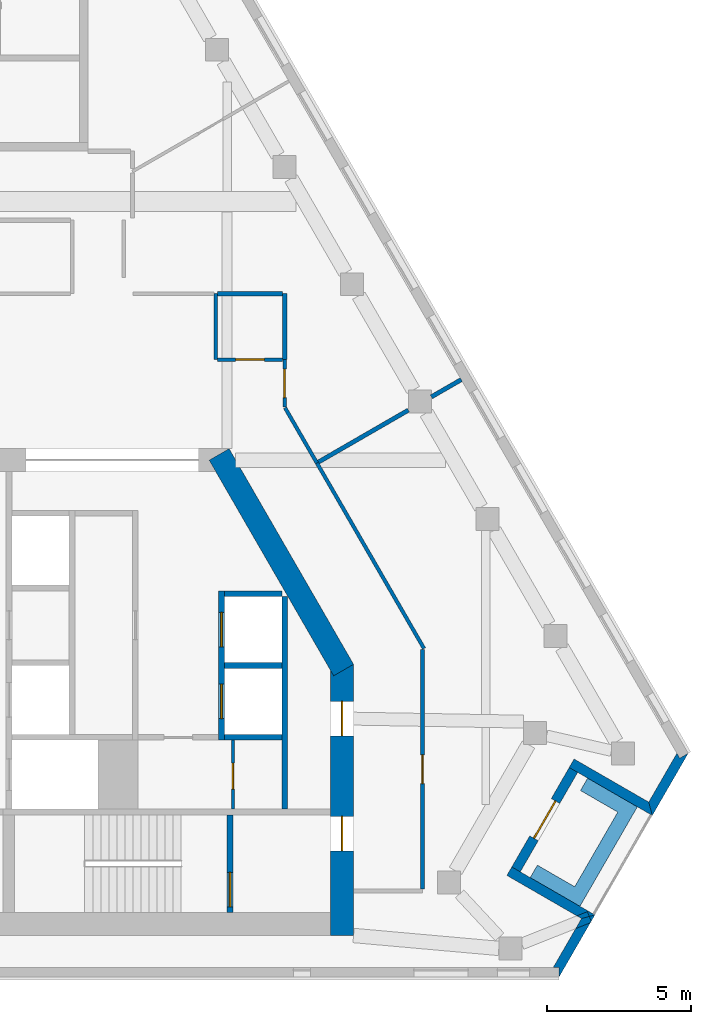
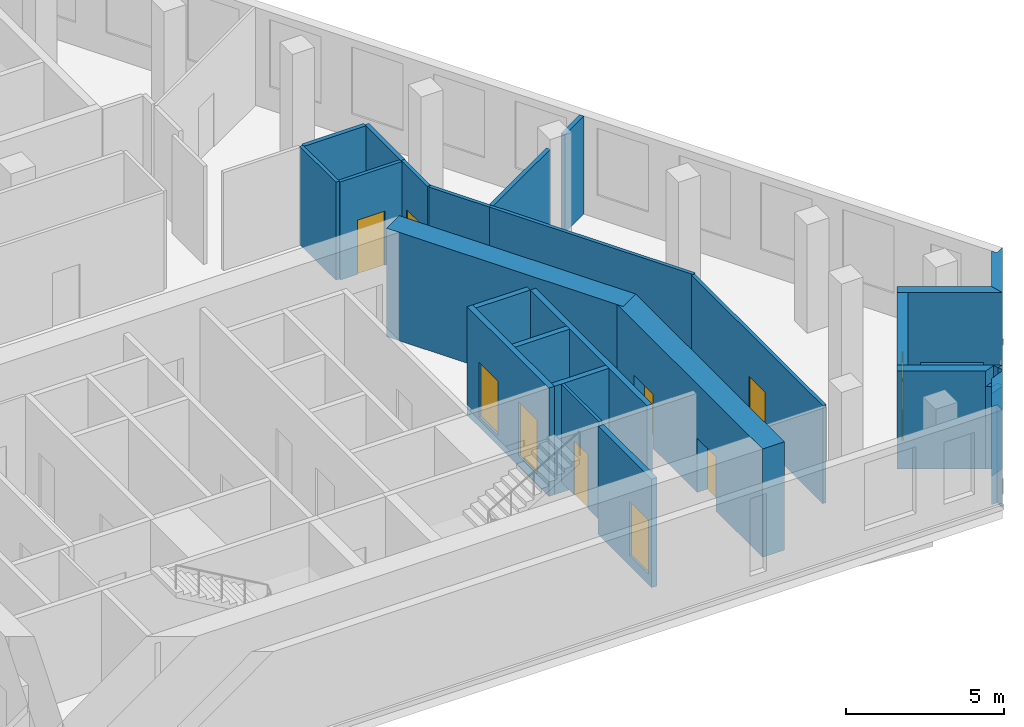
# One storey, part 5 of 8: 28 walls, 10 doors, 10 openings.
"""IFC4 building model written with IfcOpenShell, lengths in metres."""

from ifc_helpers import new_model, si_unit, direction, frame, frame_2d, origin, place, context, subcontext, project, spatial, polyline, rectangle, outline, extrude, material, layer, layer_set, type_object, element, fill, save


model = new_model("IFC4")

# Units and contexts
model_context = context("Model", 3, precision=1e-05, world=origin(), true_north=direction((0.0, 1.0)))
body_context = subcontext(model_context, "Body", "Model", "MODEL_VIEW")
ifc_project = project(units=[si_unit("LENGTHUNIT", "METRE"), si_unit("AREAUNIT", "SQUARE_METRE"), si_unit("VOLUMEUNIT", "CUBIC_METRE"), si_unit("PLANEANGLEUNIT", "RADIAN"), si_unit("MASSUNIT", "GRAM", prefix="KILO")], contexts=[model_context])

# Site, building, storey
site_placement = place(None, origin())
site = spatial("IfcSite", under=ifc_project, at=site_placement, CompositionType="ELEMENT")
building_placement = place(site_placement, origin())
building = spatial("IfcBuilding", under=site, at=building_placement, Name="Fogline Exchange Tower", CompositionType="ELEMENT")
storey_placement = place(building_placement, frame((0.0, 0.0, 300.300048828125)))
storey = spatial("IfcBuildingStorey", under=building, at=storey_placement, Name="L68", CompositionType="ELEMENT", Elevation=300.300048828125)

# Wall, opening, door
ifc_material_1 = material(Name="Blockwork partition", Category="masonry")
ifc_layer_1 = layer(ifc_material_1, 0.10009765625)
ifc_layer_set_1 = layer_set([ifc_layer_1], Name="CW10")
wall_type_1 = type_object("IfcWallType", Name="CW10", PredefinedType="PARTITIONING", material=ifc_layer_set_1)
wall_1_placement = place(storey_placement, frame((9.199951171875, 5.85009765625, 0.0), z_axis=(0.0, 0.0, 1.0), x_axis=(0.0, 1.0, 0.0)))
wall_1 = element("IfcWall", 1, at=wall_1_placement, inside=storey, type_object=wall_type_1, Name="WC partition", PredefinedType="PARTITIONING", context=body_context, shape_type="SweptSolid", body=[
    extrude(rectangle(XDim=2.39990234375, YDim=0.10009765625, at=frame_2d((1.199951171875, 0.0))), origin(), (0.0, 0.0, 1.0), 3.800048828125),
])
opening_1_placement = place(wall_1_placement, frame((0.699951171875, 0.0, 0.0)))
opening_1 = element("IfcOpeningElement", 2, at=opening_1_placement, cuts=wall_1, Name="Opening T21-C016", PredefinedType="OPENING", context=body_context, shape_type="SweptSolid", body=[
    extrude(rectangle(XDim=0.89990234375, YDim=2.10009765625, at=frame_2d((0.449951171875, 1.050048828125))), frame((0.0, 0.06005859375, 0.0), z_axis=(0.0, -1.0, 0.0), x_axis=(1.0, 0.0, 0.0)), (0.0, 0.0, 1.0), 0.1201171875),
])
ifc_material_2 = material(Name="Steel and timber fire door", Category="steel")
door_type_1 = type_object("IfcDoorType", Name="D-CS1", OperationType="SINGLE_SWING_RIGHT", PredefinedType="DOOR", material=ifc_material_2)
door_1_placement = place(opening_1_placement, frame((0.89990234375, 0.0, 0.0), z_axis=(0.0, 0.0, 1.0), x_axis=(-1.0, 0.0, 0.0)))
door_1 = element("IfcDoor", 3, at=door_1_placement, inside=storey, type_object=door_type_1, Name="Door to Cleaner's Store", OperationType="SINGLE_SWING_RIGHT", OverallHeight=2.10009765625, OverallWidth=0.89990234375, PredefinedType="DOOR", context=body_context, shape_type="SweptSolid", body=[
    extrude(rectangle(XDim=0.89990234375, YDim=2.10009765625, at=frame_2d((0.449951171875, 1.050048828125))), frame((0.0, 0.02490234375, 0.0), z_axis=(0.0, -1.0, 0.0), x_axis=(1.0, 0.0, 0.0)), (0.0, 0.0, 1.0), 0.050048828125),
])
fill(opening_1, door_1)

# Wall
ifc_material_3 = material(Name="Concrete C40", Category="concrete")
ifc_layer_2 = layer(ifc_material_3, 0.199951171875)
ifc_layer_set_2 = layer_set([ifc_layer_2], Name="CW20")
wall_type_2 = type_object("IfcWallType", Name="CW20", PredefinedType="SOLIDWALL", material=ifc_layer_set_2)
wall_2_placement = place(storey_placement, frame((11.0, 5.85009765625, 0.0), z_axis=(0.0, 0.0, 1.0), x_axis=(0.0, 1.0, 0.0)))
element("IfcWall", 4, at=wall_2_placement, inside=storey, type_object=wall_type_2, Name="Service room wall", PredefinedType="SOLIDWALL", context=body_context, shape_type="SweptSolid", body=[
    extrude(rectangle(XDim=7.39990234375, YDim=0.199951171875, at=frame_2d((3.699951171875, 0.0))), origin(), (0.0, 0.0, 1.0), 3.800048828125),
])

# Wall, opening, door
ifc_layer_3 = layer(ifc_material_3, 0.199951171875)
ifc_layer_set_3 = layer_set([ifc_layer_3], Name="CW20R")
wall_type_3 = type_object("IfcWallType", Name="CW20R", PredefinedType="SOLIDWALL", material=ifc_layer_set_3)
wall_3_placement = place(storey_placement, frame((9.10009765625, 2.25, -0.400146484375), z_axis=(0.0, 0.0, 1.0), x_axis=(0.0, 1.0, 0.0)))
wall_3 = element("IfcWall", 5, at=wall_3_placement, inside=storey, type_object=wall_type_3, Name="Stair enclosure wall", PredefinedType="SOLIDWALL", context=body_context, shape_type="SweptSolid", body=[
    extrude(rectangle(XDim=3.39990234375, YDim=0.199951171875, at=frame_2d((1.699951171875, 0.0))), origin(), (0.0, 0.0, 1.0), 4.2001953125),
])
opening_2_placement = place(wall_3_placement, frame((0.199951171875, 0.0, 0.39990234375)))
opening_2 = element("IfcOpeningElement", 6, at=opening_2_placement, cuts=wall_3, Name="Opening T21-C018", PredefinedType="OPENING", context=body_context, shape_type="SweptSolid", body=[
    extrude(rectangle(XDim=1.199951171875, YDim=2.10009765625, at=frame_2d((0.60009765625, 1.050048828125))), frame((0.0, 0.10986328125, 0.0), z_axis=(0.0, -1.0, 0.0), x_axis=(1.0, 0.0, 0.0)), (0.0, 0.0, 1.0), 0.219970703125),
])
door_type_2 = type_object("IfcDoorType", Name="D-ST1", OperationType="SINGLE_SWING_LEFT", PredefinedType="DOOR", material=ifc_material_2)
door_2_placement = place(opening_2_placement, origin())
door_2 = element("IfcDoor", 7, at=door_2_placement, inside=storey, type_object=door_type_2, Name="Stair door ST2", OperationType="SINGLE_SWING_LEFT", OverallHeight=2.10009765625, OverallWidth=1.199951171875, PredefinedType="DOOR", context=body_context, shape_type="SweptSolid", body=[
    extrude(rectangle(XDim=1.199951171875, YDim=2.10009765625, at=frame_2d((0.60009765625, 1.050048828125))), frame((0.0, 0.02490234375, 0.0), z_axis=(0.0, -1.0, 0.0), x_axis=(1.0, 0.0, 0.0)), (0.0, 0.0, 1.0), 0.050048828125),
])
fill(opening_2, door_2)

# Wall, openings, doors
ifc_layer_4 = layer(ifc_material_3, 0.199951171875)
ifc_layer_set_4 = layer_set([ifc_layer_4], Name="CW20S")
wall_type_4 = type_object("IfcWallType", Name="CW20S", PredefinedType="SOLIDWALL", material=ifc_layer_set_4)
wall_4_placement = place(storey_placement, frame((8.800048828125, 8.25, -0.400146484375), z_axis=(0.0, 0.0, 1.0), x_axis=(0.0, 1.0, 0.0)))
wall_4 = element("IfcWall", 8, at=wall_4_placement, inside=storey, type_object=wall_type_4, Name="Lift shaft wall", PredefinedType="SOLIDWALL", context=body_context, shape_type="SweptSolid", body=[
    extrude(rectangle(XDim=5.199951171875, YDim=0.199951171875, at=frame_2d((2.60009765625, 0.0))), origin(), (0.0, 0.0, 1.0), 4.2001953125),
])
opening_3_placement = place(wall_4_placement, frame((0.75, 0.0, 0.39990234375)))
opening_3 = element("IfcOpeningElement", 9, at=opening_3_placement, cuts=wall_4, Name="Opening T21-LD02", PredefinedType="OPENING", context=body_context, shape_type="SweptSolid", body=[
    extrude(rectangle(XDim=1.199951171875, YDim=2.10009765625, at=frame_2d((0.60009765625, 1.050048828125))), frame((0.0, 0.10986328125, 0.0), z_axis=(0.0, -1.0, 0.0), x_axis=(1.0, 0.0, 0.0)), (0.0, 0.0, 1.0), 0.219970703125),
])
opening_4_placement = place(wall_4_placement, frame((3.25, 0.0, 0.39990234375)))
opening_4 = element("IfcOpeningElement", 10, at=opening_4_placement, cuts=wall_4, Name="Opening T21-LD03", PredefinedType="OPENING", context=body_context, shape_type="SweptSolid", body=[
    extrude(rectangle(XDim=1.199951171875, YDim=2.10009765625, at=frame_2d((0.60009765625, 1.050048828125))), frame((0.0, 0.10986328125, 0.0), z_axis=(0.0, -1.0, 0.0), x_axis=(1.0, 0.0, 0.0)), (0.0, 0.0, 1.0), 0.219970703125),
])
door_type_3 = type_object("IfcDoorType", Name="LD1", OperationType="SLIDING_TO_LEFT", PredefinedType="DOOR", material=ifc_material_2)
door_3_placement = place(opening_3_placement, origin())
door_3 = element("IfcDoor", 11, at=door_3_placement, inside=storey, type_object=door_type_3, Name="Landing door HR1", OperationType="SLIDING_TO_LEFT", OverallHeight=2.10009765625, OverallWidth=1.199951171875, PredefinedType="DOOR", context=body_context, shape_type="SweptSolid", body=[
    extrude(rectangle(XDim=1.199951171875, YDim=2.10009765625, at=frame_2d((0.60009765625, 1.050048828125))), frame((0.0, 0.02490234375, 0.0), z_axis=(0.0, -1.0, 0.0), x_axis=(1.0, 0.0, 0.0)), (0.0, 0.0, 1.0), 0.050048828125),
])
fill(opening_3, door_3)
door_4_placement = place(opening_4_placement, origin())
door_4 = element("IfcDoor", 12, at=door_4_placement, inside=storey, type_object=door_type_3, Name="Landing door HR2", OperationType="SLIDING_TO_LEFT", OverallHeight=2.10009765625, OverallWidth=1.199951171875, PredefinedType="DOOR", context=body_context, shape_type="SweptSolid", body=[
    extrude(rectangle(XDim=1.199951171875, YDim=2.10009765625, at=frame_2d((0.60009765625, 1.050048828125))), frame((0.0, 0.02490234375, 0.0), z_axis=(0.0, -1.0, 0.0), x_axis=(1.0, 0.0, 0.0)), (0.0, 0.0, 1.0), 0.050048828125),
])
fill(opening_4, door_4)

# Walls
for number, where, z_axis, x_axis, name in (
    (13, (8.89990234375, 8.35009765625, -0.400146484375), (0.0, 0.0, 1.0), (1.0, 0.0, 0.0), "Lift shaft wall"),
    (14, (8.89990234375, 10.85009765625, -0.400146484375), (0.0, 0.0, 1.0), (1.0, 0.0, 0.0), "Lift shaft wall"),
    (15, (8.89990234375, 13.35009765625, -0.400146484375), (0.0, 0.0, 1.0), (1.0, 0.0, 0.0), "Lift shaft wall"),
):
    element("IfcWall", number, at=place(storey_placement, frame(where, z_axis=z_axis, x_axis=x_axis)), inside=storey, type_object=wall_type_4, Name=name, PredefinedType="SOLIDWALL", context=body_context, shape_type="SweptSolid", body=[
        extrude(rectangle(XDim=2.0, YDim=0.199951171875, at=frame_2d((1.0, 0.0))), origin(), (0.0, 0.0, 1.0), 4.2001953125),
    ])
ifc_material_4 = material(Name="Brick masonry", Category="masonry")
ifc_layer_5 = layer(ifc_material_4, 0.340087890625)
ifc_layer_set_5 = layer_set([ifc_layer_5], Name="FW1")
wall_type_5 = type_object("IfcWallType", Name="FW1", PredefinedType="SOLIDWALL", material=ifc_layer_set_5)
wall_5_placement = place(storey_placement, origin())
element("IfcWall", 16, at=wall_5_placement, inside=storey, type_object=wall_type_5, Name="Brick wall L68 SE-c1", PredefinedType="SOLIDWALL", context=body_context, shape_type="SweptSolid", body=[
    extrude(outline(polyline([(21.644775390625, 1.891357421875), (21.1337890625, 1.6884765625), (21.33740234375, 2.041015625), (21.6083984375, 2.11376953125), (21.675537109375, 1.944580078125), (21.644775390625, 1.891357421875)])), origin(), (0.0, 0.0, 1.0), 3.199951171875),
])
wall_6_placement = place(storey_placement, origin())
element("IfcWall", 17, at=wall_6_placement, inside=storey, type_object=wall_type_5, Name="Brick wall L68 SE-c1", PredefinedType="SOLIDWALL", context=body_context, shape_type="SweptSolid", body=[
    extrude(outline(polyline([(21.675537109375, 1.944580078125), (21.6083984375, 2.11376953125), (21.802978515625, 2.166015625), (21.80322265625, 2.165771484375), (21.675537109375, 1.944580078125)])), origin(), (0.0, 0.0, 1.0), 3.800048828125),
])
wall_7_placement = place(storey_placement, origin())
element("IfcWall", 18, at=wall_7_placement, inside=storey, type_object=wall_type_5, Name="Brick wall L68 SE-c1", PredefinedType="SOLIDWALL", context=body_context, shape_type="SweptSolid", body=[
    extrude(outline(polyline([(20.55224609375, -0.001220703125), (20.551513671875, -0.0009765625), (20.551513671875, 0.33935546875), (20.354736328125, 0.33935546875), (21.1337890625, 1.6884765625), (21.644775390625, 1.891357421875), (20.55224609375, -0.001220703125)])), origin(), (0.0, 0.0, 1.0), 3.800048828125),
])
wall_8_placement = place(storey_placement, origin())
element("IfcWall", 19, at=wall_8_placement, inside=storey, type_object=wall_type_5, Name="Brick wall L68 SE-s1", PredefinedType="SOLIDWALL", context=body_context, shape_type="SweptSolid", body=[
    extrude(outline(polyline([(21.337646484375, 2.0400390625), (21.173583984375, 2.134521484375), (21.5419921875, 2.281005859375), (21.60888671875, 2.112548828125), (21.337646484375, 2.0400390625)])), origin(), (0.0, 0.0, 1.0), 3.199951171875),
])
wall_9_placement = place(storey_placement, origin())
element("IfcWall", 20, at=wall_9_placement, inside=storey, type_object=wall_type_5, Name="Brick wall L68 SE-s1", PredefinedType="SOLIDWALL", context=body_context, shape_type="SweptSolid", body=[
    extrude(outline(polyline([(18.909423828125, 3.8359375), (19.204345703125, 3.66552734375), (21.803466796875, 2.1650390625), (21.803466796875, 2.164794921875), (21.60888671875, 2.112548828125), (21.5419921875, 2.281005859375), (21.173583984375, 2.134521484375), (18.73876953125, 3.540283203125), (18.909423828125, 3.8359375)])), origin(), (0.0, 0.0, 1.0), 3.800048828125),
])

# Wall, opening, door
wall_10_placement = place(storey_placement, frame((19.056884765625, 3.75, 0.0), z_axis=(0.0, 0.0, 1.0), x_axis=(0.49999894854, 0.866026010844, 0.0)))
wall_10 = element("IfcWall", 21, at=wall_10_placement, inside=storey, type_object=wall_type_5, Name="Brick wall L68 SE-bk", PredefinedType="SOLIDWALL", context=body_context, shape_type="SweptSolid", body=[
    extrude(rectangle(XDim=4.0, YDim=0.340087890625, at=frame_2d((2.0, 0.0))), origin(), (0.0, 0.0, 1.0), 3.800048828125),
])
opening_5_placement = place(wall_10_placement, frame((1.25, 0.0, 0.0)))
opening_5 = element("IfcOpeningElement", 22, at=opening_5_placement, cuts=wall_10, Name="Opening T21-E081", PredefinedType="OPENING", context=body_context, shape_type="SweptSolid", body=[
    extrude(rectangle(XDim=1.5, YDim=2.39990234375, at=frame_2d((0.75, 1.199951171875))), frame((0.0, 0.18017578125, 0.0), z_axis=(0.0, -1.0, 0.0), x_axis=(1.0, 0.0, 0.0)), (0.0, 0.0, 1.0), 0.360107421875),
])
ifc_material_5 = material(Name="Aluminium and glass", Category="aluminium")
door_type_4 = type_object("IfcDoorType", Name="ED4", OperationType="SINGLE_SWING_LEFT", PredefinedType="DOOR", material=ifc_material_5)
door_5_placement = place(opening_5_placement, frame((1.5, 0.0, 0.0), z_axis=(0.0, 0.0, 1.0), x_axis=(-1.0, 0.0, 0.0)))
door_5 = element("IfcDoor", 23, at=door_5_placement, inside=storey, type_object=door_type_4, Name="Balcony door L68 SE", OperationType="DOUBLE_DOOR_SINGLE_SWING", OverallHeight=2.39990234375, OverallWidth=1.5, PredefinedType="DOOR", context=body_context, shape_type="SweptSolid", body=[
    extrude(rectangle(XDim=1.5, YDim=2.39990234375, at=frame_2d((0.75, 1.199951171875))), frame((0.0, 0.02490234375, 0.0), z_axis=(0.0, -1.0, 0.0), x_axis=(1.0, 0.0, 0.0)), (0.0, 0.0, 1.0), 0.050048828125),
])
fill(opening_5, door_5)

# Walls
wall_11_placement = place(storey_placement, origin())
element("IfcWall", 24, at=wall_11_placement, inside=storey, type_object=wall_type_5, Name="Brick wall L68 SE-s2", PredefinedType="SOLIDWALL", context=body_context, shape_type="SweptSolid", body=[
    extrude(outline(polyline([(23.802734375, 5.628173828125), (21.203857421875, 7.128662109375), (20.908935546875, 7.298828125), (21.079345703125, 7.594482421875), (23.67822265625, 6.093994140625), (23.802978515625, 5.62841796875), (23.802734375, 5.628173828125)])), origin(), (0.0, 0.0, 1.0), 3.800048828125),
])
wall_12_placement = place(storey_placement, origin())
element("IfcWall", 25, at=wall_12_placement, inside=storey, type_object=wall_type_5, Name="Brick wall L68 SE-c2", PredefinedType="SOLIDWALL", context=body_context, shape_type="SweptSolid", body=[
    extrude(outline(polyline([(24.65966796875, 7.79541015625), (24.758056640625, 7.625), (25.052734375, 7.79541015625), (25.05322265625, 7.794921875), (23.80224609375, 5.6279296875), (23.8017578125, 5.6279296875), (23.677001953125, 6.09375), (24.65966796875, 7.79541015625)])), origin(), (0.0, 0.0, 1.0), 3.800048828125),
])
ifc_material_6 = material(Name="Concrete C30", Category="concrete")
ifc_layer_6 = layer(ifc_material_6, 0.199951171875)
ifc_layer_set_6 = layer_set([ifc_layer_6], Name="PL1")
wall_type_6 = type_object("IfcWallType", Name="PL1", PredefinedType="USERDEFINED", material=ifc_layer_set_6)
wall_13_placement = place(storey_placement, origin())
element("IfcWall", 26, at=wall_13_placement, inside=storey, type_object=wall_type_6, Name="PLANTER balcony L68 SE", ObjectType="PLANTER", PredefinedType="USERDEFINED", context=body_context, shape_type="SweptSolid", body=[
    extrude(outline(polyline([(19.550537109375, 3.465087890625), (20.849609375, 2.715087890625), (20.849609375, 2.715087890625), (21.28271484375, 2.465087890625), (23.28271484375, 5.92919921875), (21.550537109375, 6.92919921875), (21.300537109375, 6.49609375), (22.599609375, 5.74609375), (21.099609375, 3.148193359375), (19.800537109375, 3.898193359375), (19.550537109375, 3.465087890625)])), origin(), (0.0, 0.0, 1.0), 1.099853515625),
])
ifc_material_7 = material(Name="Plasterboard corridor partition with mineral wool, 2 layers each side")
ifc_layer_7 = layer(ifc_material_7, 0.125)
ifc_layer_set_7 = layer_set([ifc_layer_7], Name="PW2")
wall_type_7 = type_object("IfcWallType", Name="PW2", PredefinedType="PARTITIONING", material=ifc_layer_set_7)
wall_14_placement = place(storey_placement, frame((11.015380859375, 19.822021484375, 0.0), z_axis=(0.0, 0.0, 1.0), x_axis=(0.500037141584, -0.866003959019, 0.0)))
element("IfcWall", 27, at=wall_14_placement, inside=storey, type_object=wall_type_7, Name="wall-L68-W001", PredefinedType="PARTITIONING", context=body_context, shape_type="SweptSolid", body=[
    extrude(rectangle(XDim=2.216064453125, YDim=0.125, at=frame_2d((1.10791015625, 0.0))), origin(), (0.0, 0.0, 1.0), 3.800048828125),
])
wall_15_placement = place(storey_placement, frame((12.12353515625, 17.90283203125, 0.0), z_axis=(0.0, 0.0, 1.0), x_axis=(0.499992468072, -0.866029752302, 0.0)))
element("IfcWall", 28, at=wall_15_placement, inside=storey, type_object=wall_type_7, Name="wall-L68-W002", PredefinedType="PARTITIONING", context=body_context, shape_type="SweptSolid", body=[
    extrude(rectangle(XDim=7.46142578125, YDim=0.125, at=frame_2d((3.730712890625, 0.0))), origin(), (0.0, 0.0, 1.0), 3.800048828125),
])

# Wall, opening, door
wall_16_placement = place(storey_placement, frame((15.800048828125, 11.409912109375, 0.0), z_axis=(0.0, 0.0, 1.0), x_axis=(0.0, -1.0, 0.0)))
wall_16 = element("IfcWall", 29, at=wall_16_placement, inside=storey, type_object=wall_type_7, Name="wall-L68-W003", PredefinedType="PARTITIONING", context=body_context, shape_type="SweptSolid", body=[
    extrude(rectangle(XDim=8.347412109375, YDim=0.125, at=frame_2d((4.173828125, 0.0))), origin(), (0.0, 0.0, 1.0), 3.800048828125),
])
opening_6_placement = place(wall_16_placement, frame((3.673583984375, 0.0, 0.0)))
opening_6 = element("IfcOpeningElement", 30, at=opening_6_placement, cuts=wall_16, Name="Opening T21-D001", PredefinedType="OPENING", context=body_context, shape_type="SweptSolid", body=[
    extrude(rectangle(XDim=1.0, YDim=2.10009765625, at=frame_2d((0.5, 1.050048828125))), frame((0.0, 0.072509765625, 0.0), z_axis=(0.0, -1.0, 0.0), x_axis=(1.0, 0.0, 0.0)), (0.0, 0.0, 1.0), 0.14501953125),
])
ifc_material_8 = material(Name="Fire-rated timber door leaf with steel frame", Category="steel")
door_type_5 = type_object("IfcDoorType", Name="D3", OperationType="SINGLE_SWING_LEFT", PredefinedType="DOOR", material=ifc_material_8)
door_6_placement = place(opening_6_placement, origin())
door_6 = element("IfcDoor", 31, at=door_6_placement, inside=storey, type_object=door_type_5, Name="door-L68-D001", OperationType="SINGLE_SWING_LEFT", OverallHeight=2.10009765625, OverallWidth=1.0, PredefinedType="DOOR", context=body_context, shape_type="SweptSolid", body=[
    extrude(rectangle(XDim=1.0, YDim=2.10009765625, at=frame_2d((0.5, 1.050048828125))), frame((0.0, 0.02490234375, 0.0), z_axis=(0.0, -1.0, 0.0), x_axis=(1.0, 0.0, 0.0)), (0.0, 0.0, 1.0), 0.050048828125),
])
fill(opening_6, door_6)

# Wall
wall_17_placement = place(storey_placement, frame((8.60009765625, 23.800048828125, 0.0), z_axis=(0.0, 0.0, 1.0), x_axis=(0.0, -1.0, 0.0)))
element("IfcWall", 32, at=wall_17_placement, inside=storey, type_object=wall_type_7, Name="wall-L68-W005", PredefinedType="PARTITIONING", context=body_context, shape_type="SweptSolid", body=[
    extrude(rectangle(XDim=2.300048828125, YDim=0.125, at=frame_2d((1.14990234375, 0.0))), origin(), (0.0, 0.0, 1.0), 3.800048828125),
])

# Wall, opening, door
wall_18_placement = place(storey_placement, frame((8.66259765625, 21.5, 0.0), z_axis=(0.0, 0.0, 1.0), x_axis=(1.0, 0.0, 0.0)))
wall_18 = element("IfcWall", 33, at=wall_18_placement, inside=storey, type_object=wall_type_7, Name="wall-L68-W006", PredefinedType="PARTITIONING", context=body_context, shape_type="SweptSolid", body=[
    extrude(rectangle(XDim=2.262451171875, YDim=0.125, at=frame_2d((1.13134765625, 0.0))), origin(), (0.0, 0.0, 1.0), 3.800048828125),
])
opening_7_placement = place(wall_18_placement, frame((0.63134765625, 0.0, 0.0)))
opening_7 = element("IfcOpeningElement", 34, at=opening_7_placement, cuts=wall_18, Name="Opening T21-D002", PredefinedType="OPENING", context=body_context, shape_type="SweptSolid", body=[
    extrude(rectangle(XDim=1.0, YDim=2.10009765625, at=frame_2d((0.5, 1.050048828125))), frame((0.0, 0.072509765625, 0.0), z_axis=(0.0, -1.0, 0.0), x_axis=(1.0, 0.0, 0.0)), (0.0, 0.0, 1.0), 0.14501953125),
])
door_7_placement = place(opening_7_placement, origin())
door_7 = element("IfcDoor", 35, at=door_7_placement, inside=storey, type_object=door_type_5, Name="door-L68-D002", OperationType="SINGLE_SWING_LEFT", OverallHeight=2.10009765625, OverallWidth=1.0, PredefinedType="DOOR", context=body_context, shape_type="SweptSolid", body=[
    extrude(rectangle(XDim=1.0, YDim=2.10009765625, at=frame_2d((0.5, 1.050048828125))), frame((0.0, 0.02490234375, 0.0), z_axis=(0.0, -1.0, 0.0), x_axis=(1.0, 0.0, 0.0)), (0.0, 0.0, 1.0), 0.050048828125),
])
fill(opening_7, door_7)

wall_19_placement = place(storey_placement, frame((11.0, 21.5, 0.0), z_axis=(0.0, 0.0, 1.0), x_axis=(0.0, -1.0, 0.0)))
wall_19 = element("IfcWall", 36, at=wall_19_placement, inside=storey, type_object=wall_type_7, Name="wall-L68-W008", PredefinedType="PARTITIONING", context=body_context, shape_type="SweptSolid", body=[
    extrude(rectangle(XDim=1.6513671875, YDim=0.125, at=frame_2d((0.82568359375, 0.0))), origin(), (0.0, 0.0, 1.0), 3.800048828125),
])
opening_8_placement = place(wall_19_placement, frame((0.32568359375, 0.0, 0.0)))
opening_8 = element("IfcOpeningElement", 37, at=opening_8_placement, cuts=wall_19, Name="Opening T21-D003", PredefinedType="OPENING", context=body_context, shape_type="SweptSolid", body=[
    extrude(rectangle(XDim=1.0, YDim=2.10009765625, at=frame_2d((0.5, 1.050048828125))), frame((0.0, 0.072509765625, 0.0), z_axis=(0.0, -1.0, 0.0), x_axis=(1.0, 0.0, 0.0)), (0.0, 0.0, 1.0), 0.14501953125),
])
door_8_placement = place(opening_8_placement, origin())
door_8 = element("IfcDoor", 38, at=door_8_placement, inside=storey, type_object=door_type_5, Name="door-L68-D003", OperationType="SINGLE_SWING_LEFT", OverallHeight=2.10009765625, OverallWidth=1.0, PredefinedType="DOOR", context=body_context, shape_type="SweptSolid", body=[
    extrude(rectangle(XDim=1.0, YDim=2.10009765625, at=frame_2d((0.5, 1.050048828125))), frame((0.0, 0.02490234375, 0.0), z_axis=(0.0, -1.0, 0.0), x_axis=(1.0, 0.0, 0.0)), (0.0, 0.0, 1.0), 0.050048828125),
])
fill(opening_8, door_8)

# Walls
ifc_material_9 = material(Name="Plasterboard demising partition with mineral wool and acoustic board")
ifc_layer_8 = layer(ifc_material_9, 0.14990234375)
ifc_layer_set_8 = layer_set([ifc_layer_8], Name="PW3")
wall_type_8 = type_object("IfcWallType", Name="PW3", PredefinedType="PARTITIONING", material=ifc_layer_set_8)
wall_20_placement = place(storey_placement, frame((8.6630859375, 23.800048828125, 0.0), z_axis=(0.0, 0.0, 1.0), x_axis=(1.0, 0.0, 0.0)))
element("IfcWall", 39, at=wall_20_placement, inside=storey, type_object=wall_type_8, Name="wall-L68-W025", PredefinedType="PARTITIONING", context=body_context, shape_type="SweptSolid", body=[
    extrude(rectangle(XDim=2.261962890625, YDim=0.14990234375, at=frame_2d((1.130859375, 0.0))), origin(), (0.0, 0.0, 1.0), 3.800048828125),
])
wall_21_placement = place(storey_placement, frame((11.0, 23.800048828125, 0.0), z_axis=(0.0, 0.0, 1.0), x_axis=(0.0, -1.0, 0.0)))
element("IfcWall", 40, at=wall_21_placement, inside=storey, type_object=wall_type_8, Name="wall-L68-W026", PredefinedType="PARTITIONING", context=body_context, shape_type="SweptSolid", body=[
    extrude(rectangle(XDim=2.300048828125, YDim=0.14990234375, at=frame_2d((1.14990234375, 0.0))), origin(), (0.0, 0.0, 1.0), 3.800048828125),
])
wall_22_placement = place(storey_placement, frame((17.1484375, 20.803955078125, 0.0), z_axis=(0.0, 0.0, 1.0), x_axis=(-0.866019662671, -0.500009943768, 0.0)))
element("IfcWall", 41, at=wall_22_placement, inside=storey, type_object=wall_type_8, Name="wall-L68-W028", PredefinedType="PARTITIONING", context=body_context, shape_type="SweptSolid", body=[
    extrude(rectangle(XDim=1.20068359375, YDim=0.14990234375, at=frame_2d((0.600341796875, 0.0))), origin(), (0.0, 0.0, 1.0), 3.800048828125),
])
wall_23_placement = place(storey_placement, frame((15.30859375, 19.74169921875, 0.0), z_axis=(0.0, 0.0, 1.0), x_axis=(-0.866040526528, -0.499973805724, 0.0)))
element("IfcWall", 42, at=wall_23_placement, inside=storey, type_object=wall_type_8, Name="wall-L68-W029", PredefinedType="PARTITIONING", context=body_context, shape_type="SweptSolid", body=[
    extrude(rectangle(XDim=3.615478515625, YDim=0.14990234375, at=frame_2d((1.8076171875, 0.0))), origin(), (0.0, 0.0, 1.0), 3.800048828125),
])

# Wall, openings, doors
ifc_material_10 = material(Name="Concrete C50", Category="concrete")
ifc_layer_9 = layer(ifc_material_10, 0.800048828125)
ifc_layer_set_9 = layer_set([ifc_layer_9], Name="SW04")
wall_type_9 = type_object("IfcWallType", Name="SW04", PredefinedType="SHEAR", material=ifc_layer_set_9)
wall_24_placement = place(storey_placement, frame((13.0, 1.449951171875, 0.0), z_axis=(0.0, 0.0, 1.0), x_axis=(0.0, 1.0, 0.0)))
wall_24 = element("IfcWall", 43, at=wall_24_placement, inside=storey, type_object=wall_type_9, Name="L68-W902", PredefinedType="SHEAR", context=body_context, shape_type="SweptSolid", body=[
    extrude(rectangle(XDim=9.44189453125, YDim=0.800048828125, at=frame_2d((4.720947265625, 0.0))), origin(), (0.0, 0.0, 1.0), 4.199951171875),
])
opening_9_placement = place(wall_24_placement, frame((2.949951171875, 0.0, 0.0)))
opening_9 = element("IfcOpeningElement", 44, at=opening_9_placement, cuts=wall_24, Name="Opening T21-C017", PredefinedType="OPENING", context=body_context, shape_type="SweptSolid", body=[
    extrude(rectangle(XDim=1.199951171875, YDim=2.10009765625, at=frame_2d((0.60009765625, 1.050048828125))), frame((0.0, 0.41015625, 0.0), z_axis=(0.0, -1.0, 0.0), x_axis=(1.0, 0.0, 0.0)), (0.0, 0.0, 1.0), 0.820068359375),
])
opening_10_placement = place(wall_24_placement, frame((6.949951171875, 0.0, 0.0)))
opening_10 = element("IfcOpeningElement", 45, at=opening_10_placement, cuts=wall_24, Name="Opening T21-C019", PredefinedType="OPENING", context=body_context, shape_type="SweptSolid", body=[
    extrude(rectangle(XDim=1.199951171875, YDim=2.10009765625, at=frame_2d((0.60009765625, 1.050048828125))), frame((0.0, 0.41015625, 0.0), z_axis=(0.0, -1.0, 0.0), x_axis=(1.0, 0.0, 0.0)), (0.0, 0.0, 1.0), 0.820068359375),
])
door_type_6 = type_object("IfcDoorType", Name="D-FR1", OperationType="SINGLE_SWING_RIGHT", PredefinedType="DOOR", material=ifc_material_2)
door_9_placement = place(opening_9_placement, origin())
door_9 = element("IfcDoor", 46, at=door_9_placement, inside=storey, type_object=door_type_6, Name="Front room door ST2", OperationType="SINGLE_SWING_RIGHT", OverallHeight=2.10009765625, OverallWidth=1.199951171875, PredefinedType="DOOR", context=body_context, shape_type="SweptSolid", body=[
    extrude(rectangle(XDim=1.199951171875, YDim=2.10009765625, at=frame_2d((0.60009765625, 1.050048828125))), frame((0.0, 0.02490234375, 0.0), z_axis=(0.0, -1.0, 0.0), x_axis=(1.0, 0.0, 0.0)), (0.0, 0.0, 1.0), 0.050048828125),
])
fill(opening_9, door_9)
door_type_7 = type_object("IfcDoorType", Name="D-SV1", OperationType="SINGLE_SWING_LEFT", PredefinedType="DOOR", material=ifc_material_2)
door_10_placement = place(opening_10_placement, origin())
door_10 = element("IfcDoor", 47, at=door_10_placement, inside=storey, type_object=door_type_7, Name="Service door E", OperationType="SINGLE_SWING_RIGHT", OverallHeight=2.10009765625, OverallWidth=1.199951171875, PredefinedType="DOOR", context=body_context, shape_type="SweptSolid", body=[
    extrude(rectangle(XDim=1.199951171875, YDim=2.10009765625, at=frame_2d((0.60009765625, 1.050048828125))), frame((0.0, 0.02490234375, 0.0), z_axis=(0.0, -1.0, 0.0), x_axis=(1.0, 0.0, 0.0)), (0.0, 0.0, 1.0), 0.050048828125),
])
fill(opening_10, door_10)

# Wall
wall_25_placement = place(storey_placement, frame((13.0537109375, 10.69189453125, 0.0), z_axis=(0.0, 0.0, 1.0), x_axis=(-0.500015780397, 0.866016292776, 0.0)))
element("IfcWall", 48, at=wall_25_placement, inside=storey, type_object=wall_type_9, Name="L68-W903", PredefinedType="SHEAR", context=body_context, shape_type="SweptSolid", body=[
    extrude(rectangle(XDim=8.669677734375, YDim=0.800048828125, at=frame_2d((4.3349609375, 0.0))), origin(), (0.0, 0.0, 1.0), 4.199951171875),
])

save(model, "model.ifc")
